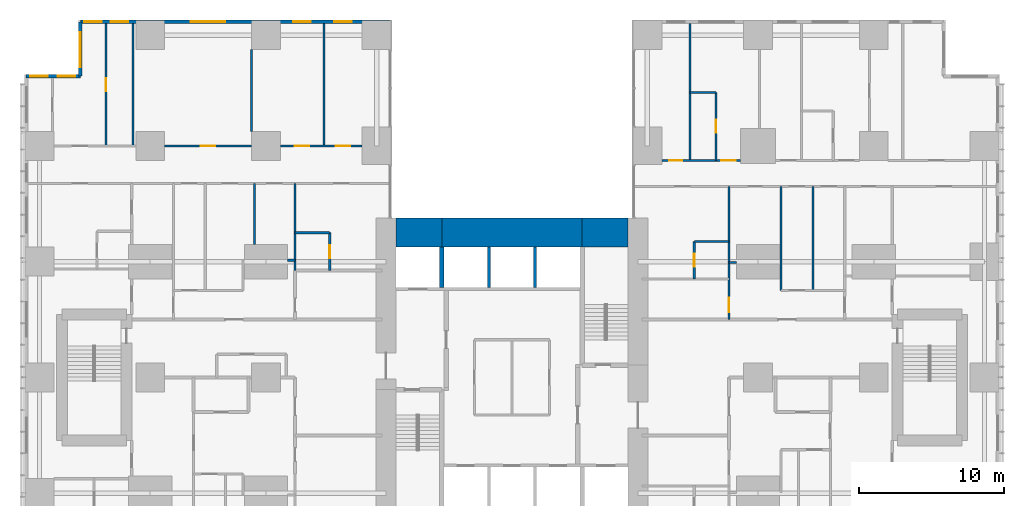
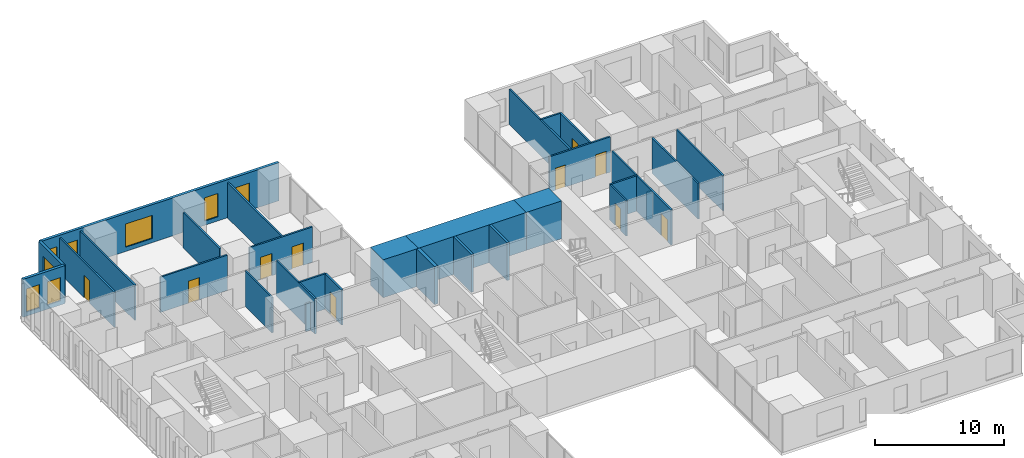
# One storey, part 17 of 20: 30 walls, 10 doors, 8 windows, 18 openings.
"""IFC4 building model written with IfcOpenShell, lengths in metres."""

from ifc_helpers import new_model, si_unit, direction, frame, frame_2d, origin, place, context, subcontext, project, spatial, rectangle, extrude, material, layer, layer_set, type_object, element, fill, save


model = new_model("IFC4")

# Units and contexts
model_context = context("Model", 3, precision=1e-05, world=origin(), true_north=direction((0.0, 1.0)))
body_context = subcontext(model_context, "Body", "Model", "MODEL_VIEW")
ifc_project = project(units=[si_unit("LENGTHUNIT", "METRE"), si_unit("AREAUNIT", "SQUARE_METRE"), si_unit("VOLUMEUNIT", "CUBIC_METRE"), si_unit("PLANEANGLEUNIT", "RADIAN"), si_unit("MASSUNIT", "GRAM", prefix="KILO")], contexts=[model_context])

# Site, building, storey
site_placement = place(None, origin())
site = spatial("IfcSite", under=ifc_project, at=site_placement, CompositionType="ELEMENT")
building_placement = place(site_placement, origin())
building = spatial("IfcBuilding", under=site, at=building_placement, Name="Cleftline Residences", CompositionType="ELEMENT")
storey_placement = place(building_placement, frame((0.0, 0.0, 143.0)))
storey = spatial("IfcBuildingStorey", under=building, at=storey_placement, Name="L37", CompositionType="ELEMENT", Elevation=143.0)

# Walls
ifc_material_1 = material(Name="Concrete B70", Category="concrete")
ifc_layer_1 = layer(ifc_material_1, 2.0)
ifc_layer_set_1 = layer_set([ifc_layer_1], Name="CORE WALL 2000")
wall_type_1 = type_object("IfcWallType", Name="CORE WALL 2000", PredefinedType="SHEAR", material=ifc_layer_set_1)
wall_1_placement = place(storey_placement, frame((25.0, 34.0, 0.0), z_axis=(0.0, 0.0, 1.0), x_axis=(1.0, 0.0, 0.0)))
element("IfcWall", 1, at=wall_1_placement, inside=storey, type_object=wall_type_1, Name="Core wall N1", PredefinedType="SHEAR", context=body_context, shape_type="SweptSolid", body=[
    extrude(rectangle(XDim=3.14990234375, YDim=2.0, at=frame_2d((1.574951171875, 0.0))), origin(), (0.0, 0.0, 1.0), 3.60009765625),
])
wall_2_placement = place(storey_placement, frame((28.14990234375, 34.0, 0.0), z_axis=(0.0, 0.0, 1.0), x_axis=(1.0, 0.0, 0.0)))
element("IfcWall", 2, at=wall_2_placement, inside=storey, type_object=wall_type_1, Name="Core wall N2", PredefinedType="SHEAR", context=body_context, shape_type="SweptSolid", body=[
    extrude(rectangle(XDim=9.7001953125, YDim=2.0, at=frame_2d((4.85009765625, 0.0))), origin(), (0.0, 0.0, 1.0), 3.60009765625),
])
wall_3_placement = place(storey_placement, frame((37.85009765625, 34.0, 0.0), z_axis=(0.0, 0.0, 1.0), x_axis=(1.0, 0.0, 0.0)))
element("IfcWall", 3, at=wall_3_placement, inside=storey, type_object=wall_type_1, Name="Core wall N3", PredefinedType="SHEAR", context=body_context, shape_type="SweptSolid", body=[
    extrude(rectangle(XDim=3.14990234375, YDim=2.0, at=frame_2d((1.574951171875, 0.0))), origin(), (0.0, 0.0, 1.0), 3.60009765625),
])
ifc_material_2 = material(Name="Concrete B70", Category="concrete")
ifc_layer_2 = layer(ifc_material_2, 0.300048828125)
ifc_layer_set_2 = layer_set([ifc_layer_2], Name="CORE WALL 300")
wall_type_2 = type_object("IfcWallType", Name="CORE WALL 300", PredefinedType="SHEAR", material=ifc_layer_set_2)
wall_4_placement = place(storey_placement, frame((28.14990234375, 30.199951171875, 0.0), z_axis=(0.0, 0.0, 1.0), x_axis=(0.0, 1.0, 0.0)))
element("IfcWall", 4, at=wall_4_placement, inside=storey, type_object=wall_type_2, Name="Lift shaft wall", PredefinedType="SHEAR", context=body_context, shape_type="SweptSolid", body=[
    extrude(rectangle(XDim=2.800048828125, YDim=0.300048828125, at=frame_2d((1.39990234375, 0.0))), origin(), (0.0, 0.0, 1.0), 3.60009765625),
])

# Wall, openings, windows
ifc_material_3 = material(Name="Rendered reinforced concrete blockwork", Category="masonry")
ifc_layer_3 = layer(ifc_material_3, 0.25)
ifc_layer_set_3 = layer_set([ifc_layer_3], Name="EXTERNAL WALL 250")
wall_type_3 = type_object("IfcWallType", Name="EXTERNAL WALL 250", PredefinedType="SOLIDWALL", material=ifc_layer_set_3)
wall_5_placement = place(storey_placement, frame((24.574951171875, 48.574951171875, 0.0), z_axis=(0.0, 0.0, 1.0), x_axis=(-1.0, 0.0, 0.0)))
wall_5 = element("IfcWall", 5, at=wall_5_placement, inside=storey, type_object=wall_type_3, Name="External wall", PredefinedType="SOLIDWALL", context=body_context, shape_type="SweptSolid", body=[
    extrude(rectangle(XDim=21.39990234375, YDim=0.25, at=frame_2d((10.699951171875, 0.0))), origin(), (0.0, 0.0, 1.0), 3.60009765625),
])
opening_1_placement = place(wall_5_placement, frame((2.64990234375, 0.0, 0.39990234375)))
opening_1 = element("IfcOpeningElement", 6, at=opening_1_placement, cuts=wall_5, Name="Opening W11", PredefinedType="OPENING", context=body_context, shape_type="SweptSolid", body=[
    extrude(rectangle(XDim=1.199951171875, YDim=2.199951171875, at=frame_2d((0.60009765625, 1.10009765625))), frame((0.0, 0.135009765625, 0.0), z_axis=(0.0, -1.0, 0.0), x_axis=(1.0, 0.0, 0.0)), (0.0, 0.0, 1.0), 0.27001953125),
])
opening_2_placement = place(wall_5_placement, frame((5.47509765625, 0.0, 0.39990234375)))
opening_2 = element("IfcOpeningElement", 7, at=opening_2_placement, cuts=wall_5, Name="Opening W11", PredefinedType="OPENING", context=body_context, shape_type="SweptSolid", body=[
    extrude(rectangle(XDim=1.199951171875, YDim=2.199951171875, at=frame_2d((0.60009765625, 1.10009765625))), frame((0.0, 0.135009765625, 0.0), z_axis=(0.0, -1.0, 0.0), x_axis=(1.0, 0.0, 0.0)), (0.0, 0.0, 1.0), 0.27001953125),
])
opening_3_placement = place(wall_5_placement, frame((11.375, 0.0, 0.39990234375)))
opening_3 = element("IfcOpeningElement", 8, at=opening_3_placement, cuts=wall_5, Name="Opening W12", PredefinedType="OPENING", context=body_context, shape_type="SweptSolid", body=[
    extrude(rectangle(XDim=2.39990234375, YDim=2.199951171875, at=frame_2d((1.199951171875, 1.10009765625))), frame((0.0, 0.135009765625, 0.0), z_axis=(0.0, -1.0, 0.0), x_axis=(1.0, 0.0, 0.0)), (0.0, 0.0, 1.0), 0.27001953125),
])
opening_4_placement = place(wall_5_placement, frame((18.10009765625, 0.0, 0.39990234375)))
opening_4 = element("IfcOpeningElement", 9, at=opening_4_placement, cuts=wall_5, Name="Opening W11", PredefinedType="OPENING", context=body_context, shape_type="SweptSolid", body=[
    extrude(rectangle(XDim=1.199951171875, YDim=2.199951171875, at=frame_2d((0.60009765625, 1.10009765625))), frame((0.0, 0.135009765625, 0.0), z_axis=(0.0, -1.0, 0.0), x_axis=(1.0, 0.0, 0.0)), (0.0, 0.0, 1.0), 0.27001953125),
])
opening_5_placement = place(wall_5_placement, frame((19.925048828125, 0.0, 0.39990234375)))
opening_5 = element("IfcOpeningElement", 10, at=opening_5_placement, cuts=wall_5, Name="Opening W11", PredefinedType="OPENING", context=body_context, shape_type="SweptSolid", body=[
    extrude(rectangle(XDim=1.199951171875, YDim=2.199951171875, at=frame_2d((0.60009765625, 1.10009765625))), frame((0.0, 0.135009765625, 0.0), z_axis=(0.0, -1.0, 0.0), x_axis=(1.0, 0.0, 0.0)), (0.0, 0.0, 1.0), 0.27001953125),
])
ifc_material_4 = material(Name="Aluminium frame, clear double glazing", Category="aluminium")
window_type_1 = type_object("IfcWindowType", Name="WINDOW 1200X2200", PartitioningType="DOUBLE_PANEL_VERTICAL", PredefinedType="WINDOW", material=ifc_material_4)
window_1_placement = place(opening_1_placement, origin())
window_1 = element("IfcWindow", 11, at=window_1_placement, inside=storey, type_object=window_type_1, Name="Window", OverallHeight=2.199951171875, OverallWidth=1.199951171875, PartitioningType="SINGLE_PANEL", PredefinedType="WINDOW", context=body_context, shape_type="SweptSolid", body=[
    extrude(rectangle(XDim=1.199951171875, YDim=2.199951171875, at=frame_2d((0.60009765625, 1.10009765625))), frame((0.0, 0.030029296875, 0.0), z_axis=(0.0, -1.0, 0.0), x_axis=(1.0, 0.0, 0.0)), (0.0, 0.0, 1.0), 0.06005859375),
])
fill(opening_1, window_1)
window_2_placement = place(opening_2_placement, origin())
window_2 = element("IfcWindow", 12, at=window_2_placement, inside=storey, type_object=window_type_1, Name="Window", OverallHeight=2.199951171875, OverallWidth=1.199951171875, PartitioningType="SINGLE_PANEL", PredefinedType="WINDOW", context=body_context, shape_type="SweptSolid", body=[
    extrude(rectangle(XDim=1.199951171875, YDim=2.199951171875, at=frame_2d((0.60009765625, 1.10009765625))), frame((0.0, 0.030029296875, 0.0), z_axis=(0.0, -1.0, 0.0), x_axis=(1.0, 0.0, 0.0)), (0.0, 0.0, 1.0), 0.06005859375),
])
fill(opening_2, window_2)
window_3_placement = place(opening_4_placement, origin())
window_3 = element("IfcWindow", 13, at=window_3_placement, inside=storey, type_object=window_type_1, Name="Window", OverallHeight=2.199951171875, OverallWidth=1.199951171875, PartitioningType="SINGLE_PANEL", PredefinedType="WINDOW", context=body_context, shape_type="SweptSolid", body=[
    extrude(rectangle(XDim=1.199951171875, YDim=2.199951171875, at=frame_2d((0.60009765625, 1.10009765625))), frame((0.0, 0.030029296875, 0.0), z_axis=(0.0, -1.0, 0.0), x_axis=(1.0, 0.0, 0.0)), (0.0, 0.0, 1.0), 0.06005859375),
])
fill(opening_4, window_3)
window_4_placement = place(opening_5_placement, origin())
window_4 = element("IfcWindow", 14, at=window_4_placement, inside=storey, type_object=window_type_1, Name="Window", OverallHeight=2.199951171875, OverallWidth=1.199951171875, PartitioningType="SINGLE_PANEL", PredefinedType="WINDOW", context=body_context, shape_type="SweptSolid", body=[
    extrude(rectangle(XDim=1.199951171875, YDim=2.199951171875, at=frame_2d((0.60009765625, 1.10009765625))), frame((0.0, 0.030029296875, 0.0), z_axis=(0.0, -1.0, 0.0), x_axis=(1.0, 0.0, 0.0)), (0.0, 0.0, 1.0), 0.06005859375),
])
fill(opening_5, window_4)
ifc_material_5 = material(Name="Aluminium frame, clear double glazing", Category="aluminium")
window_type_2 = type_object("IfcWindowType", Name="WINDOW 2400X2200", PartitioningType="DOUBLE_PANEL_VERTICAL", PredefinedType="WINDOW", material=ifc_material_5)
window_5_placement = place(opening_3_placement, origin())
window_5 = element("IfcWindow", 15, at=window_5_placement, inside=storey, type_object=window_type_2, Name="Window", OverallHeight=2.199951171875, OverallWidth=2.39990234375, PartitioningType="SINGLE_PANEL", PredefinedType="WINDOW", context=body_context, shape_type="SweptSolid", body=[
    extrude(rectangle(XDim=2.39990234375, YDim=2.199951171875, at=frame_2d((1.199951171875, 1.10009765625))), frame((0.0, 0.030029296875, 0.0), z_axis=(0.0, -1.0, 0.0), x_axis=(1.0, 0.0, 0.0)), (0.0, 0.0, 1.0), 0.06005859375),
])
fill(opening_3, window_5)

# Wall, opening, window
wall_6_placement = place(storey_placement, frame((3.175048828125, 48.574951171875, 0.0), z_axis=(0.0, 0.0, 1.0), x_axis=(0.0, -1.0, 0.0)))
wall_6 = element("IfcWall", 16, at=wall_6_placement, inside=storey, type_object=wall_type_3, Name="External wall", PredefinedType="SOLIDWALL", context=body_context, shape_type="SweptSolid", body=[
    extrude(rectangle(XDim=3.75, YDim=0.25, at=frame_2d((1.875, 0.0))), origin(), (0.0, 0.0, 1.0), 3.60009765625),
])
opening_6_placement = place(wall_6_placement, frame((0.737548828125, 0.0, 0.39990234375)))
opening_6 = element("IfcOpeningElement", 17, at=opening_6_placement, cuts=wall_6, Name="Opening W12", PredefinedType="OPENING", context=body_context, shape_type="SweptSolid", body=[
    extrude(rectangle(XDim=2.39990234375, YDim=2.199951171875, at=frame_2d((1.199951171875, 1.10009765625))), frame((0.0, 0.135009765625, 0.0), z_axis=(0.0, -1.0, 0.0), x_axis=(1.0, 0.0, 0.0)), (0.0, 0.0, 1.0), 0.27001953125),
])
window_6_placement = place(opening_6_placement, origin())
window_6 = element("IfcWindow", 18, at=window_6_placement, inside=storey, type_object=window_type_2, Name="Window", OverallHeight=2.199951171875, OverallWidth=2.39990234375, PartitioningType="SINGLE_PANEL", PredefinedType="WINDOW", context=body_context, shape_type="SweptSolid", body=[
    extrude(rectangle(XDim=2.39990234375, YDim=2.199951171875, at=frame_2d((1.199951171875, 1.10009765625))), frame((0.0, 0.030029296875, 0.0), z_axis=(0.0, -1.0, 0.0), x_axis=(1.0, 0.0, 0.0)), (0.0, 0.0, 1.0), 0.06005859375),
])
fill(opening_6, window_6)

# Wall, openings, windows
wall_7_placement = place(storey_placement, frame((3.175048828125, 44.824951171875, 0.0), z_axis=(0.0, 0.0, 1.0), x_axis=(-1.0, 0.0, 0.0)))
wall_7 = element("IfcWall", 19, at=wall_7_placement, inside=storey, type_object=wall_type_3, Name="External wall", PredefinedType="SOLIDWALL", context=body_context, shape_type="SweptSolid", body=[
    extrude(rectangle(XDim=3.75, YDim=0.25, at=frame_2d((1.875, 0.0))), origin(), (0.0, 0.0, 1.0), 3.60009765625),
])
opening_7_placement = place(wall_7_placement, frame((0.362548828125, 0.0, 0.39990234375)))
opening_7 = element("IfcOpeningElement", 20, at=opening_7_placement, cuts=wall_7, Name="Opening W11", PredefinedType="OPENING", context=body_context, shape_type="SweptSolid", body=[
    extrude(rectangle(XDim=1.199951171875, YDim=2.199951171875, at=frame_2d((0.60009765625, 1.10009765625))), frame((0.0, 0.135009765625, 0.0), z_axis=(0.0, -1.0, 0.0), x_axis=(1.0, 0.0, 0.0)), (0.0, 0.0, 1.0), 0.27001953125),
])
opening_8_placement = place(wall_7_placement, frame((2.25, 0.0, 0.39990234375)))
opening_8 = element("IfcOpeningElement", 21, at=opening_8_placement, cuts=wall_7, Name="Opening W11", PredefinedType="OPENING", context=body_context, shape_type="SweptSolid", body=[
    extrude(rectangle(XDim=1.199951171875, YDim=2.199951171875, at=frame_2d((0.60009765625, 1.10009765625))), frame((0.0, 0.135009765625, 0.0), z_axis=(0.0, -1.0, 0.0), x_axis=(1.0, 0.0, 0.0)), (0.0, 0.0, 1.0), 0.27001953125),
])
window_7_placement = place(opening_7_placement, origin())
window_7 = element("IfcWindow", 22, at=window_7_placement, inside=storey, type_object=window_type_1, Name="Window", OverallHeight=2.199951171875, OverallWidth=1.199951171875, PartitioningType="SINGLE_PANEL", PredefinedType="WINDOW", context=body_context, shape_type="SweptSolid", body=[
    extrude(rectangle(XDim=1.199951171875, YDim=2.199951171875, at=frame_2d((0.60009765625, 1.10009765625))), frame((0.0, 0.030029296875, 0.0), z_axis=(0.0, -1.0, 0.0), x_axis=(1.0, 0.0, 0.0)), (0.0, 0.0, 1.0), 0.06005859375),
])
fill(opening_7, window_7)
window_8_placement = place(opening_8_placement, origin())
window_8 = element("IfcWindow", 23, at=window_8_placement, inside=storey, type_object=window_type_1, Name="Window", OverallHeight=2.199951171875, OverallWidth=1.199951171875, PartitioningType="SINGLE_PANEL", PredefinedType="WINDOW", context=body_context, shape_type="SweptSolid", body=[
    extrude(rectangle(XDim=1.199951171875, YDim=2.199951171875, at=frame_2d((0.60009765625, 1.10009765625))), frame((0.0, 0.030029296875, 0.0), z_axis=(0.0, -1.0, 0.0), x_axis=(1.0, 0.0, 0.0)), (0.0, 0.0, 1.0), 0.06005859375),
])
fill(opening_8, window_8)

# Walls
ifc_material_6 = material(Name="Gypsum board on steel studs", Category="steel")
ifc_layer_4 = layer(ifc_material_6, 0.14990234375)
ifc_layer_set_4 = layer_set([ifc_layer_4], Name="PARTITION 150")
wall_type_4 = type_object("IfcWallType", Name="PARTITION 150", PredefinedType="PARTITIONING", material=ifc_layer_set_4)
for number, where, z_axis, x_axis, name in (
    (24, (48.0, 31.949951171875, 0.0), (0.0, 0.0, 1.0), (1.0, 0.0, 0.0), "Partition"),
    (25, (17.5, 32.10009765625, 0.0), (0.0, 0.0, 1.0), (1.0, 0.0, 0.0), "Partition"),
):
    element("IfcWall", number, at=place(storey_placement, frame(where, z_axis=z_axis, x_axis=x_axis)), inside=storey, type_object=wall_type_4, Name=name, PredefinedType="PARTITIONING", context=body_context, shape_type="SweptSolid", body=[
        extrude(rectangle(XDim=0.5, YDim=0.14990234375, at=frame_2d((0.25, 0.0))), origin(), (0.0, 0.0, 1.0), 2.634033203125),
    ])
for number, where, z_axis, x_axis, name in (
    (26, (45.60009765625, 33.39990234375, 0.0), (0.0, 0.0, 1.0), (1.0, 0.0, 0.0), "Partition"),
    (27, (18.0, 34.0, 0.0), (0.0, 0.0, 1.0), (1.0, 0.0, 0.0), "Partition"),
):
    element("IfcWall", number, at=place(storey_placement, frame(where, z_axis=z_axis, x_axis=x_axis)), inside=storey, type_object=wall_type_4, Name=name, PredefinedType="PARTITIONING", context=body_context, shape_type="SweptSolid", body=[
        extrude(rectangle(XDim=2.39990234375, YDim=0.14990234375, at=frame_2d((1.199951171875, 0.0))), origin(), (0.0, 0.0, 1.0), 3.35009765625),
    ])

# Wall, openings, doors
wall_8_placement = place(storey_placement, frame((43.35009765625, 39.0, 0.0), z_axis=(0.0, 0.0, 1.0), x_axis=(1.0, 0.0, 0.0)))
wall_8 = element("IfcWall", 28, at=wall_8_placement, inside=storey, type_object=wall_type_4, Name="Partition", PredefinedType="PARTITIONING", context=body_context, shape_type="SweptSolid", body=[
    extrude(rectangle(XDim=5.449951171875, YDim=0.14990234375, at=frame_2d((2.72509765625, 0.0))), origin(), (0.0, 0.0, 1.0), 3.35009765625),
])
opening_9_placement = place(wall_8_placement, frame((4.10009765625, 0.0, 0.0)))
opening_9 = element("IfcOpeningElement", 29, at=opening_9_placement, cuts=wall_8, Name="Opening D2", PredefinedType="OPENING", context=body_context, shape_type="SweptSolid", body=[
    extrude(rectangle(XDim=1.0, YDim=2.10009765625, at=frame_2d((0.5, 1.050048828125))), frame((0.0, 0.0849609375, 0.0), z_axis=(0.0, -1.0, 0.0), x_axis=(1.0, 0.0, 0.0)), (0.0, 0.0, 1.0), 0.169921875),
])
opening_10_placement = place(wall_8_placement, frame((0.52490234375, 0.0, 0.0)))
opening_10 = element("IfcOpeningElement", 30, at=opening_10_placement, cuts=wall_8, Name="Opening D1", PredefinedType="OPENING", context=body_context, shape_type="SweptSolid", body=[
    extrude(rectangle(XDim=0.89990234375, YDim=2.10009765625, at=frame_2d((0.449951171875, 1.050048828125))), frame((0.0, 0.0849609375, 0.0), z_axis=(0.0, -1.0, 0.0), x_axis=(1.0, 0.0, 0.0)), (0.0, 0.0, 1.0), 0.169921875),
])
ifc_material_7 = material(Name="Timber veneer on solid core", Category="wood")
door_type_1 = type_object("IfcDoorType", Name="DOOR 1000X2100", OperationType="SINGLE_SWING_LEFT", PredefinedType="DOOR", material=ifc_material_7)
door_1_placement = place(opening_9_placement, origin())
door_1 = element("IfcDoor", 31, at=door_1_placement, inside=storey, type_object=door_type_1, Name="Door to bedroom 3", OperationType="SINGLE_SWING_LEFT", OverallHeight=2.10009765625, OverallWidth=1.0, PredefinedType="DOOR", context=body_context, shape_type="SweptSolid", body=[
    extrude(rectangle(XDim=1.0, YDim=2.10009765625, at=frame_2d((0.5, 1.050048828125))), frame((0.0, 0.02490234375, 0.0), z_axis=(0.0, -1.0, 0.0), x_axis=(1.0, 0.0, 0.0)), (0.0, 0.0, 1.0), 0.050048828125),
])
fill(opening_9, door_1)
ifc_material_8 = material(Name="Timber veneer on solid core", Category="wood")
door_type_2 = type_object("IfcDoorType", Name="DOOR 900X2100", OperationType="SINGLE_SWING_LEFT", PredefinedType="DOOR", material=ifc_material_8)
door_2_placement = place(opening_10_placement, origin())
door_2 = element("IfcDoor", 32, at=door_2_placement, inside=storey, type_object=door_type_2, Name="Door to dressing room", OperationType="SINGLE_SWING_RIGHT", OverallHeight=2.10009765625, OverallWidth=0.89990234375, PredefinedType="DOOR", context=body_context, shape_type="SweptSolid", body=[
    extrude(rectangle(XDim=0.89990234375, YDim=2.10009765625, at=frame_2d((0.449951171875, 1.050048828125))), frame((0.0, 0.02490234375, 0.0), z_axis=(0.0, -1.0, 0.0), x_axis=(1.0, 0.0, 0.0)), (0.0, 0.0, 1.0), 0.050048828125),
])
fill(opening_10, door_2)

# Wall, opening, door
wall_9_placement = place(storey_placement, frame((9.0, 40.0, 0.0), z_axis=(0.0, 0.0, 1.0), x_axis=(1.0, 0.0, 0.0)))
wall_9 = element("IfcWall", 33, at=wall_9_placement, inside=storey, type_object=wall_type_4, Name="Partition", PredefinedType="PARTITIONING", context=body_context, shape_type="SweptSolid", body=[
    extrude(rectangle(XDim=6.0, YDim=0.14990234375, at=frame_2d((3.0, 0.0))), origin(), (0.0, 0.0, 1.0), 3.35009765625),
])
opening_11_placement = place(wall_9_placement, frame((2.5, 0.0, 0.0)))
opening_11 = element("IfcOpeningElement", 34, at=opening_11_placement, cuts=wall_9, Name="Opening D2", PredefinedType="OPENING", context=body_context, shape_type="SweptSolid", body=[
    extrude(rectangle(XDim=1.0, YDim=2.10009765625, at=frame_2d((0.5, 1.050048828125))), frame((0.0, 0.0849609375, 0.0), z_axis=(0.0, -1.0, 0.0), x_axis=(1.0, 0.0, 0.0)), (0.0, 0.0, 1.0), 0.169921875),
])
door_3_placement = place(opening_11_placement, origin())
door_3 = element("IfcDoor", 35, at=door_3_placement, inside=storey, type_object=door_type_1, Name="Door to living room", OperationType="SINGLE_SWING_LEFT", OverallHeight=2.10009765625, OverallWidth=1.0, PredefinedType="DOOR", context=body_context, shape_type="SweptSolid", body=[
    extrude(rectangle(XDim=1.0, YDim=2.10009765625, at=frame_2d((0.5, 1.050048828125))), frame((0.0, 0.02490234375, 0.0), z_axis=(0.0, -1.0, 0.0), x_axis=(1.0, 0.0, 0.0)), (0.0, 0.0, 1.0), 0.050048828125),
])
fill(opening_11, door_3)

# Wall, openings, doors
wall_10_placement = place(storey_placement, frame((17.0, 40.0, 0.0), z_axis=(0.0, 0.0, 1.0), x_axis=(1.0, 0.0, 0.0)))
wall_10 = element("IfcWall", 36, at=wall_10_placement, inside=storey, type_object=wall_type_4, Name="Partition", PredefinedType="PARTITIONING", context=body_context, shape_type="SweptSolid", body=[
    extrude(rectangle(XDim=5.64990234375, YDim=0.14990234375, at=frame_2d((2.824951171875, 0.0))), origin(), (0.0, 0.0, 1.0), 3.35009765625),
])
opening_12_placement = place(wall_10_placement, frame((1.0, 0.0, 0.0)))
opening_12 = element("IfcOpeningElement", 37, at=opening_12_placement, cuts=wall_10, Name="Opening D2", PredefinedType="OPENING", context=body_context, shape_type="SweptSolid", body=[
    extrude(rectangle(XDim=1.0, YDim=2.10009765625, at=frame_2d((0.5, 1.050048828125))), frame((0.0, 0.0849609375, 0.0), z_axis=(0.0, -1.0, 0.0), x_axis=(1.0, 0.0, 0.0)), (0.0, 0.0, 1.0), 0.169921875),
])
opening_13_placement = place(wall_10_placement, frame((3.824951171875, 0.0, 0.0)))
opening_13 = element("IfcOpeningElement", 38, at=opening_13_placement, cuts=wall_10, Name="Opening D2", PredefinedType="OPENING", context=body_context, shape_type="SweptSolid", body=[
    extrude(rectangle(XDim=1.0, YDim=2.10009765625, at=frame_2d((0.5, 1.050048828125))), frame((0.0, 0.0849609375, 0.0), z_axis=(0.0, -1.0, 0.0), x_axis=(1.0, 0.0, 0.0)), (0.0, 0.0, 1.0), 0.169921875),
])
door_4_placement = place(opening_12_placement, origin())
door_4 = element("IfcDoor", 39, at=door_4_placement, inside=storey, type_object=door_type_1, Name="Door to dining room", OperationType="SINGLE_SWING_RIGHT", OverallHeight=2.10009765625, OverallWidth=1.0, PredefinedType="DOOR", context=body_context, shape_type="SweptSolid", body=[
    extrude(rectangle(XDim=1.0, YDim=2.10009765625, at=frame_2d((0.5, 1.050048828125))), frame((0.0, 0.02490234375, 0.0), z_axis=(0.0, -1.0, 0.0), x_axis=(1.0, 0.0, 0.0)), (0.0, 0.0, 1.0), 0.050048828125),
])
fill(opening_12, door_4)
door_5_placement = place(opening_13_placement, origin())
door_5 = element("IfcDoor", 40, at=door_5_placement, inside=storey, type_object=door_type_1, Name="Door to show kitchen", OperationType="SINGLE_SWING_LEFT", OverallHeight=2.10009765625, OverallWidth=1.0, PredefinedType="DOOR", context=body_context, shape_type="SweptSolid", body=[
    extrude(rectangle(XDim=1.0, YDim=2.10009765625, at=frame_2d((0.5, 1.050048828125))), frame((0.0, 0.02490234375, 0.0), z_axis=(0.0, -1.0, 0.0), x_axis=(1.0, 0.0, 0.0)), (0.0, 0.0, 1.0), 0.050048828125),
])
fill(opening_13, door_5)

# Wall
wall_11_placement = place(storey_placement, frame((45.300048828125, 43.699951171875, 0.0), z_axis=(0.0, 0.0, 1.0), x_axis=(1.0, 0.0, 0.0)))
element("IfcWall", 41, at=wall_11_placement, inside=storey, type_object=wall_type_4, Name="Partition", PredefinedType="PARTITIONING", context=body_context, shape_type="SweptSolid", body=[
    extrude(rectangle(XDim=1.800048828125, YDim=0.14990234375, at=frame_2d((0.89990234375, 0.0))), origin(), (0.0, 0.0, 1.0), 3.35009765625),
])

# Wall, opening, door
wall_12_placement = place(storey_placement, frame((4.949951171875, 40.0, 0.0), z_axis=(0.0, 0.0, 1.0), x_axis=(0.0, 1.0, 0.0)))
wall_12 = element("IfcWall", 42, at=wall_12_placement, inside=storey, type_object=wall_type_4, Name="Partition", PredefinedType="PARTITIONING", context=body_context, shape_type="SweptSolid", body=[
    extrude(rectangle(XDim=8.449951171875, YDim=0.14990234375, at=frame_2d((4.22509765625, 0.0))), origin(), (0.0, 0.0, 1.0), 3.35009765625),
])
opening_14_placement = place(wall_12_placement, frame((3.77490234375, 0.0, 0.0)))
opening_14 = element("IfcOpeningElement", 43, at=opening_14_placement, cuts=wall_12, Name="Opening D1", PredefinedType="OPENING", context=body_context, shape_type="SweptSolid", body=[
    extrude(rectangle(XDim=0.89990234375, YDim=2.10009765625, at=frame_2d((0.449951171875, 1.050048828125))), frame((0.0, 0.0849609375, 0.0), z_axis=(0.0, -1.0, 0.0), x_axis=(1.0, 0.0, 0.0)), (0.0, 0.0, 1.0), 0.169921875),
])
door_6_placement = place(opening_14_placement, origin())
door_6 = element("IfcDoor", 44, at=door_6_placement, inside=storey, type_object=door_type_2, Name="Door to en-suite bathroom 2", OperationType="SINGLE_SWING_LEFT", OverallHeight=2.10009765625, OverallWidth=0.89990234375, PredefinedType="DOOR", context=body_context, shape_type="SweptSolid", body=[
    extrude(rectangle(XDim=0.89990234375, YDim=2.10009765625, at=frame_2d((0.449951171875, 1.050048828125))), frame((0.0, 0.02490234375, 0.0), z_axis=(0.0, -1.0, 0.0), x_axis=(1.0, 0.0, 0.0)), (0.0, 0.0, 1.0), 0.050048828125),
])
fill(opening_14, door_6)

# Walls
wall_13_placement = place(storey_placement, frame((6.800048828125, 40.0, 0.0), z_axis=(0.0, 0.0, 1.0), x_axis=(0.0, 1.0, 0.0)))
element("IfcWall", 45, at=wall_13_placement, inside=storey, type_object=wall_type_4, Name="Partition", PredefinedType="PARTITIONING", context=body_context, shape_type="SweptSolid", body=[
    extrude(rectangle(XDim=8.449951171875, YDim=0.14990234375, at=frame_2d((4.22509765625, 0.0))), origin(), (0.0, 0.0, 1.0), 3.35009765625),
])
wall_14_placement = place(storey_placement, frame((15.0, 41.0, 0.0), z_axis=(0.0, 0.0, 1.0), x_axis=(0.0, 1.0, 0.0)))
element("IfcWall", 46, at=wall_14_placement, inside=storey, type_object=wall_type_4, Name="Partition", PredefinedType="PARTITIONING", context=body_context, shape_type="SweptSolid", body=[
    extrude(rectangle(XDim=5.64990234375, YDim=0.14990234375, at=frame_2d((2.824951171875, 0.0))), origin(), (0.0, 0.0, 1.0), 3.35009765625),
])
wall_15_placement = place(storey_placement, frame((15.199951171875, 33.199951171875, 0.0), z_axis=(0.0, 0.0, 1.0), x_axis=(0.0, 1.0, 0.0)))
element("IfcWall", 47, at=wall_15_placement, inside=storey, type_object=wall_type_4, Name="Partition", PredefinedType="PARTITIONING", context=body_context, shape_type="SweptSolid", body=[
    extrude(rectangle(XDim=4.199951171875, YDim=0.14990234375, at=frame_2d((2.10009765625, 0.0))), origin(), (0.0, 0.0, 1.0), 3.35009765625),
])
wall_16_placement = place(storey_placement, frame((18.0, 31.39990234375, 0.0), z_axis=(0.0, 0.0, 1.0), x_axis=(0.0, 1.0, 0.0)))
element("IfcWall", 48, at=wall_16_placement, inside=storey, type_object=wall_type_4, Name="Partition", PredefinedType="PARTITIONING", context=body_context, shape_type="SweptSolid", body=[
    extrude(rectangle(XDim=6.0, YDim=0.14990234375, at=frame_2d((3.0, 0.0))), origin(), (0.0, 0.0, 1.0), 3.35009765625),
])
wall_17_placement = place(storey_placement, frame((20.0, 40.0, 0.0), z_axis=(0.0, 0.0, 1.0), x_axis=(0.0, 1.0, 0.0)))
element("IfcWall", 49, at=wall_17_placement, inside=storey, type_object=wall_type_4, Name="Partition", PredefinedType="PARTITIONING", context=body_context, shape_type="SweptSolid", body=[
    extrude(rectangle(XDim=8.449951171875, YDim=0.14990234375, at=frame_2d((4.22509765625, 0.0))), origin(), (0.0, 0.0, 1.0), 3.35009765625),
])

# Wall, opening, door
wall_18_placement = place(storey_placement, frame((20.39990234375, 31.39990234375, 0.0), z_axis=(0.0, 0.0, 1.0), x_axis=(0.0, 1.0, 0.0)))
wall_18 = element("IfcWall", 50, at=wall_18_placement, inside=storey, type_object=wall_type_4, Name="Partition", PredefinedType="PARTITIONING", context=body_context, shape_type="SweptSolid", body=[
    extrude(rectangle(XDim=2.60009765625, YDim=0.14990234375, at=frame_2d((1.300048828125, 0.0))), origin(), (0.0, 0.0, 1.0), 3.35009765625),
])
opening_15_placement = place(wall_18_placement, frame((0.85009765625, 0.0, 0.0)))
opening_15 = element("IfcOpeningElement", 51, at=opening_15_placement, cuts=wall_18, Name="Opening D1", PredefinedType="OPENING", context=body_context, shape_type="SweptSolid", body=[
    extrude(rectangle(XDim=0.89990234375, YDim=2.10009765625, at=frame_2d((0.449951171875, 1.050048828125))), frame((0.0, 0.0849609375, 0.0), z_axis=(0.0, -1.0, 0.0), x_axis=(1.0, 0.0, 0.0)), (0.0, 0.0, 1.0), 0.169921875),
])
door_7_placement = place(opening_15_placement, origin())
door_7 = element("IfcDoor", 52, at=door_7_placement, inside=storey, type_object=door_type_2, Name="Door to en-suite bathroom 3", OperationType="SINGLE_SWING_LEFT", OverallHeight=2.10009765625, OverallWidth=0.89990234375, PredefinedType="DOOR", context=body_context, shape_type="SweptSolid", body=[
    extrude(rectangle(XDim=0.89990234375, YDim=2.10009765625, at=frame_2d((0.449951171875, 1.050048828125))), frame((0.0, 0.02490234375, 0.0), z_axis=(0.0, -1.0, 0.0), x_axis=(1.0, 0.0, 0.0)), (0.0, 0.0, 1.0), 0.050048828125),
])
fill(opening_15, door_7)

# Wall
wall_19_placement = place(storey_placement, frame((45.300048828125, 39.0, 0.0), z_axis=(0.0, 0.0, 1.0), x_axis=(0.0, 1.0, 0.0)))
element("IfcWall", 53, at=wall_19_placement, inside=storey, type_object=wall_type_4, Name="Partition", PredefinedType="PARTITIONING", context=body_context, shape_type="SweptSolid", body=[
    extrude(rectangle(XDim=9.449951171875, YDim=0.14990234375, at=frame_2d((4.72509765625, 0.0))), origin(), (0.0, 0.0, 1.0), 3.35009765625),
])

# Wall, opening, door
wall_20_placement = place(storey_placement, frame((45.60009765625, 30.800048828125, 0.0), z_axis=(0.0, 0.0, 1.0), x_axis=(0.0, 1.0, 0.0)))
wall_20 = element("IfcWall", 54, at=wall_20_placement, inside=storey, type_object=wall_type_4, Name="Partition", PredefinedType="PARTITIONING", context=body_context, shape_type="SweptSolid", body=[
    extrude(rectangle(XDim=2.599853515625, YDim=0.14990234375, at=frame_2d((1.2998046875, 0.0))), origin(), (0.0, 0.0, 1.0), 3.35009765625),
])
opening_16_placement = place(wall_20_placement, frame((0.85009765625, 0.0, 0.0)))
opening_16 = element("IfcOpeningElement", 55, at=opening_16_placement, cuts=wall_20, Name="Opening D1", PredefinedType="OPENING", context=body_context, shape_type="SweptSolid", body=[
    extrude(rectangle(XDim=0.89990234375, YDim=2.10009765625, at=frame_2d((0.449951171875, 1.050048828125))), frame((0.0, 0.0849609375, 0.0), z_axis=(0.0, -1.0, 0.0), x_axis=(1.0, 0.0, 0.0)), (0.0, 0.0, 1.0), 0.169921875),
])
door_8_placement = place(opening_16_placement, origin())
door_8 = element("IfcDoor", 56, at=door_8_placement, inside=storey, type_object=door_type_2, Name="Door to en-suite bathroom 4", OperationType="SINGLE_SWING_LEFT", OverallHeight=2.10009765625, OverallWidth=0.89990234375, PredefinedType="DOOR", context=body_context, shape_type="SweptSolid", body=[
    extrude(rectangle(XDim=0.89990234375, YDim=2.10009765625, at=frame_2d((0.449951171875, 1.050048828125))), frame((0.0, 0.02490234375, 0.0), z_axis=(0.0, -1.0, 0.0), x_axis=(1.0, 0.0, 0.0)), (0.0, 0.0, 1.0), 0.050048828125),
])
fill(opening_16, door_8)

wall_21_placement = place(storey_placement, frame((47.10009765625, 39.0, 0.0), z_axis=(0.0, 0.0, 1.0), x_axis=(0.0, 1.0, 0.0)))
wall_21 = element("IfcWall", 57, at=wall_21_placement, inside=storey, type_object=wall_type_4, Name="Partition", PredefinedType="PARTITIONING", context=body_context, shape_type="SweptSolid", body=[
    extrude(rectangle(XDim=4.699951171875, YDim=0.14990234375, at=frame_2d((2.35009765625, 0.0))), origin(), (0.0, 0.0, 1.0), 3.35009765625),
])
opening_17_placement = place(wall_21_placement, frame((1.89990234375, 0.0, 0.0)))
opening_17 = element("IfcOpeningElement", 58, at=opening_17_placement, cuts=wall_21, Name="Opening D1", PredefinedType="OPENING", context=body_context, shape_type="SweptSolid", body=[
    extrude(rectangle(XDim=0.89990234375, YDim=2.10009765625, at=frame_2d((0.449951171875, 1.050048828125))), frame((0.0, 0.0849609375, 0.0), z_axis=(0.0, -1.0, 0.0), x_axis=(1.0, 0.0, 0.0)), (0.0, 0.0, 1.0), 0.169921875),
])
door_9_placement = place(opening_17_placement, origin())
door_9 = element("IfcDoor", 59, at=door_9_placement, inside=storey, type_object=door_type_2, Name="Door to en-suite bathroom 3", OperationType="SINGLE_SWING_LEFT", OverallHeight=2.10009765625, OverallWidth=0.89990234375, PredefinedType="DOOR", context=body_context, shape_type="SweptSolid", body=[
    extrude(rectangle(XDim=0.89990234375, YDim=2.10009765625, at=frame_2d((0.449951171875, 1.050048828125))), frame((0.0, 0.02490234375, 0.0), z_axis=(0.0, -1.0, 0.0), x_axis=(1.0, 0.0, 0.0)), (0.0, 0.0, 1.0), 0.050048828125),
])
fill(opening_17, door_9)

wall_22_placement = place(storey_placement, frame((48.0, 28.0, 0.0), z_axis=(0.0, 0.0, 1.0), x_axis=(0.0, 1.0, 0.0)))
wall_22 = element("IfcWall", 60, at=wall_22_placement, inside=storey, type_object=wall_type_4, Name="Partition", PredefinedType="PARTITIONING", context=body_context, shape_type="SweptSolid", body=[
    extrude(rectangle(XDim=9.199951171875, YDim=0.14990234375, at=frame_2d((4.60009765625, 0.0))), origin(), (0.0, 0.0, 1.0), 3.35009765625),
])
opening_18_placement = place(wall_22_placement, frame((0.5, 0.0, 0.0)))
opening_18 = element("IfcOpeningElement", 61, at=opening_18_placement, cuts=wall_22, Name="Opening D2", PredefinedType="OPENING", context=body_context, shape_type="SweptSolid", body=[
    extrude(rectangle(XDim=1.0, YDim=2.10009765625, at=frame_2d((0.5, 1.050048828125))), frame((0.0, 0.0849609375, 0.0), z_axis=(0.0, -1.0, 0.0), x_axis=(1.0, 0.0, 0.0)), (0.0, 0.0, 1.0), 0.169921875),
])
door_10_placement = place(opening_18_placement, origin())
door_10 = element("IfcDoor", 62, at=door_10_placement, inside=storey, type_object=door_type_1, Name="Door to morning kitchen", OperationType="SINGLE_SWING_RIGHT", OverallHeight=2.10009765625, OverallWidth=1.0, PredefinedType="DOOR", context=body_context, shape_type="SweptSolid", body=[
    extrude(rectangle(XDim=1.0, YDim=2.10009765625, at=frame_2d((0.5, 1.050048828125))), frame((0.0, 0.02490234375, 0.0), z_axis=(0.0, -1.0, 0.0), x_axis=(1.0, 0.0, 0.0)), (0.0, 0.0, 1.0), 0.050048828125),
])
fill(opening_18, door_10)

# Walls
for number, where, z_axis, x_axis, name in (
    (63, (51.60009765625, 30.0, 0.0), (0.0, 0.0, 1.0), (0.0, 1.0, 0.0), "Partition"),
    (64, (53.800048828125, 30.0, 0.0), (0.0, 0.0, 1.0), (0.0, 1.0, 0.0), "Partition"),
):
    element("IfcWall", number, at=place(storey_placement, frame(where, z_axis=z_axis, x_axis=x_axis)), inside=storey, type_object=wall_type_4, Name=name, PredefinedType="PARTITIONING", context=body_context, shape_type="SweptSolid", body=[
        extrude(rectangle(XDim=7.199951171875, YDim=0.14990234375, at=frame_2d((3.60009765625, 0.0))), origin(), (0.0, 0.0, 1.0), 3.35009765625),
    ])
ifc_material_9 = material(Name="Concrete blockwork, fire rated", Category="masonry")
ifc_layer_5 = layer(ifc_material_9, 0.199951171875)
ifc_layer_set_5 = layer_set([ifc_layer_5], Name="SHAFT WALL 200")
wall_type_5 = type_object("IfcWallType", Name="SHAFT WALL 200", PredefinedType="PARTITIONING", material=ifc_layer_set_5)
for number, where, z_axis, x_axis, name in (
    (65, (31.39990234375, 30.199951171875, 0.0), (0.0, 0.0, 1.0), (0.0, 1.0, 0.0), "Lift shaft wall"),
    (66, (34.60009765625, 30.199951171875, 0.0), (0.0, 0.0, 1.0), (0.0, 1.0, 0.0), "Lift shaft wall"),
):
    element("IfcWall", number, at=place(storey_placement, frame(where, z_axis=z_axis, x_axis=x_axis)), inside=storey, type_object=wall_type_5, Name=name, PredefinedType="PARTITIONING", context=body_context, shape_type="SweptSolid", body=[
        extrude(rectangle(XDim=2.800048828125, YDim=0.199951171875, at=frame_2d((1.39990234375, 0.0))), origin(), (0.0, 0.0, 1.0), 3.60009765625),
    ])

save(model, "model.ifc")
